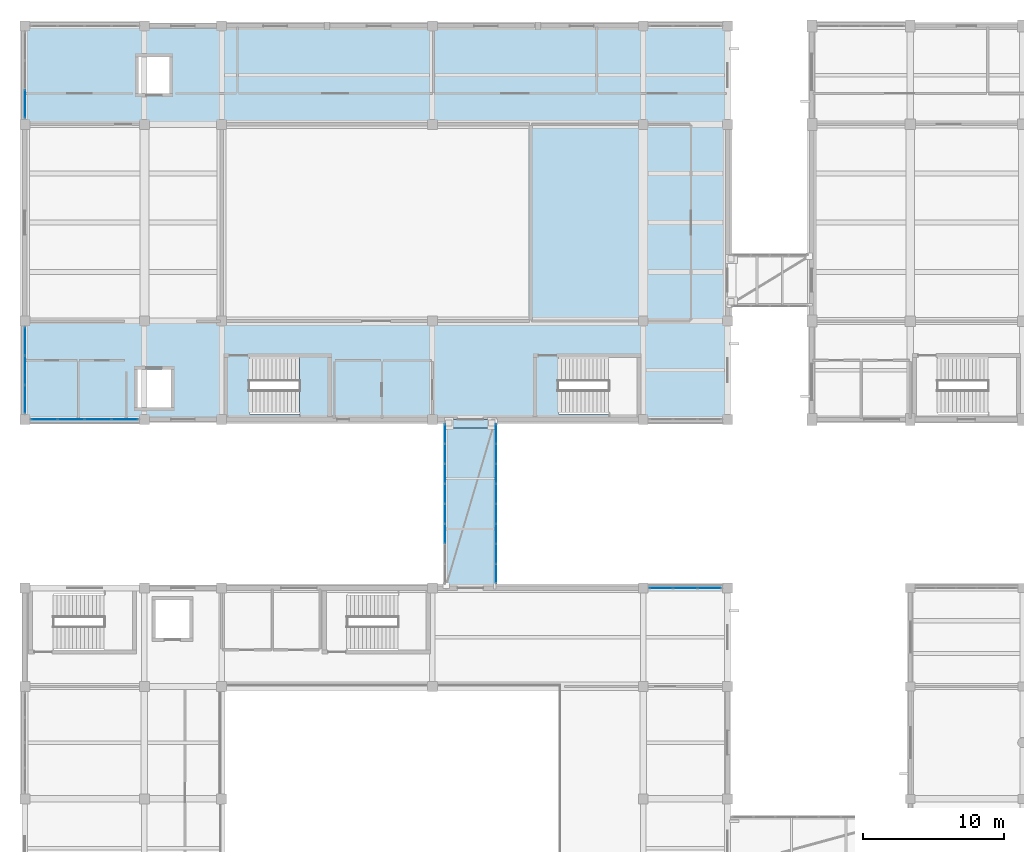
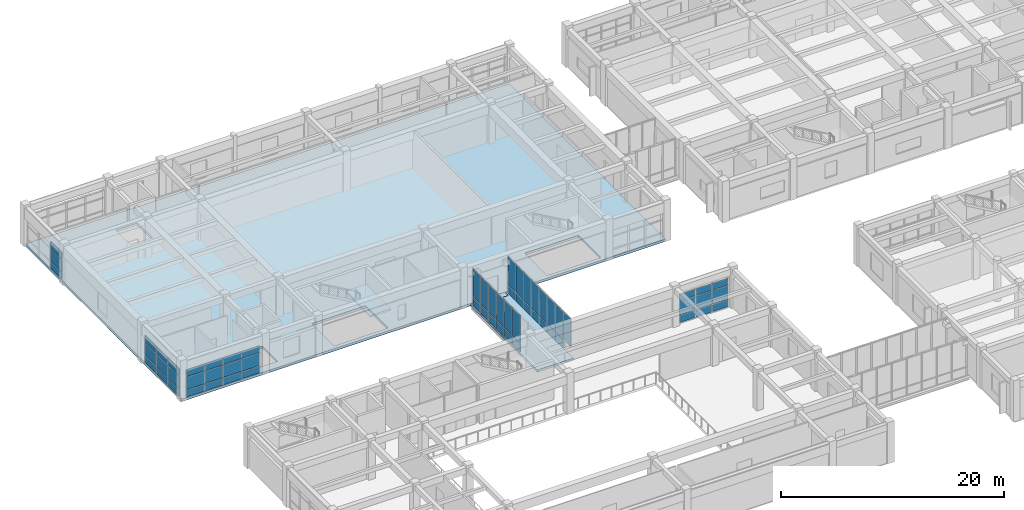
# One storey, part 37 of 70: 61 plates, 3 slabs, 7 elements without a shape of their own.
"""IFC4 building model written with IfcOpenShell, lengths in metres."""

from ifc_helpers import new_model, si_unit, direction, frame, origin, origin_2d, place, context, subcontext, project, spatial, polyline, rectangle, outline, extrude, material, layer, layer_set, type_object, element, aggregate, save


model = new_model("IFC4")

# Units and contexts
model_context = context("Model", 3, precision=1e-05, world=origin(), true_north=direction((0.0, 1.0)))
body_context = subcontext(model_context, "Body", "Model", "MODEL_VIEW")
ifc_project = project(units=[si_unit("LENGTHUNIT", "METRE"), si_unit("AREAUNIT", "SQUARE_METRE"), si_unit("VOLUMEUNIT", "CUBIC_METRE"), si_unit("PLANEANGLEUNIT", "RADIAN"), si_unit("MASSUNIT", "GRAM", prefix="KILO")], contexts=[model_context])

# Site, building, storey
site_placement = place(None, origin())
site = spatial("IfcSite", under=ifc_project, at=site_placement, CompositionType="ELEMENT")
building_placement = place(site_placement, origin())
building = spatial("IfcBuilding", under=site, at=building_placement, Name="Naurynzar Civic Courthouse", CompositionType="ELEMENT")
storey_placement = place(building_placement, frame((0.0, 0.0, 5.39990234375)))
storey = spatial("IfcBuildingStorey", under=building, at=storey_placement, Name="L02", CompositionType="ELEMENT", Elevation=5.39990234375)

# Curtain wall, plates
ifc_material_1 = material(Name="Aluminium 6063-T6", Category="aluminium")
ifc_layer_1 = layer(ifc_material_1, 0.14990234375)
ifc_layer_set_1 = layer_set([ifc_layer_1], Name="CW-BRIDGE-1500")
curtain_wall_type_1 = type_object("IfcCurtainWallType", Name="CW-BRIDGE-1500", PredefinedType="USERDEFINED", material=ifc_layer_set_1)
curtain_wall_1_placement = place(storey_placement, origin())
curtain_wall_1 = element("IfcCurtainWall", 1, at=curtain_wall_1_placement, inside=storey, type_object=curtain_wall_type_1, Name="BR-W1 glazed bridge screen L02.1", ObjectType="GLAZED BRIDGE SCREEN", PredefinedType="USERDEFINED")
ifc_material_2 = material(Name="Tempered Laminated Low-E Glass", Category="glass")
ifc_layer_2 = layer(ifc_material_2, 0.031982421875)
ifc_layer_set_2 = layer_set([ifc_layer_2], Name="CWP-IGU-32")
plate_type_1 = type_object("IfcPlateType", Name="CWP-IGU-32", PredefinedType="CURTAIN_PANEL", material=ifc_layer_set_2)
plate_1_placement = place(storey_placement, frame((35.8798828125, 42.972412109375, 0.06005859375), z_axis=(0.0, 0.0, 1.0), x_axis=(0.0, -1.0, 0.0)))
plate_1 = element("IfcPlate", 2, at=plate_1_placement, type_object=plate_type_1, Name="CW-03 panel 1.1", PredefinedType="CURTAIN_PANEL", context=body_context, shape_type="SweptSolid", body=[
    extrude(rectangle(XDim=1.3349609375, YDim=0.031982421875, at=origin_2d()), origin(), (0.0, 0.0, 1.0), 0.909912109375),
])
plate_2_placement = place(storey_placement, frame((35.8798828125, 42.972412109375, 1.0302734375), z_axis=(0.0, 0.0, 1.0), x_axis=(0.0, -1.0, 0.0)))
plate_2 = element("IfcPlate", 3, at=plate_2_placement, type_object=plate_type_1, Name="CW-03 panel 1.2", PredefinedType="CURTAIN_PANEL", context=body_context, shape_type="SweptSolid", body=[
    extrude(rectangle(XDim=1.3349609375, YDim=0.031982421875, at=origin_2d()), origin(), (0.0, 0.0, 1.0), 3.030029296875),
])
plate_3_placement = place(storey_placement, frame((35.8798828125, 41.5625, 0.06005859375), z_axis=(0.0, 0.0, 1.0), x_axis=(0.0, -1.0, 0.0)))
plate_3 = element("IfcPlate", 4, at=plate_3_placement, type_object=plate_type_1, Name="CW-03 panel 2.1", PredefinedType="CURTAIN_PANEL", context=body_context, shape_type="SweptSolid", body=[
    extrude(rectangle(XDim=1.364990234375, YDim=0.031982421875, at=origin_2d()), origin(), (0.0, 0.0, 1.0), 0.909912109375),
])
plate_4_placement = place(storey_placement, frame((35.8798828125, 41.5625, 1.0302734375), z_axis=(0.0, 0.0, 1.0), x_axis=(0.0, -1.0, 0.0)))
plate_4 = element("IfcPlate", 5, at=plate_4_placement, type_object=plate_type_1, Name="CW-03 panel 2.2", PredefinedType="CURTAIN_PANEL", context=body_context, shape_type="SweptSolid", body=[
    extrude(rectangle(XDim=1.364990234375, YDim=0.031982421875, at=origin_2d()), origin(), (0.0, 0.0, 1.0), 3.030029296875),
])
plate_5_placement = place(storey_placement, frame((35.8798828125, 40.137451171875, 0.06005859375), z_axis=(0.0, 0.0, 1.0), x_axis=(0.0, -1.0, 0.0)))
plate_5 = element("IfcPlate", 6, at=plate_5_placement, type_object=plate_type_1, Name="CW-03 panel 3.1", PredefinedType="CURTAIN_PANEL", context=body_context, shape_type="SweptSolid", body=[
    extrude(rectangle(XDim=1.364990234375, YDim=0.031982421875, at=origin_2d()), origin(), (0.0, 0.0, 1.0), 0.909912109375),
])
plate_6_placement = place(storey_placement, frame((35.8798828125, 40.137451171875, 1.0302734375), z_axis=(0.0, 0.0, 1.0), x_axis=(0.0, -1.0, 0.0)))
plate_6 = element("IfcPlate", 7, at=plate_6_placement, type_object=plate_type_1, Name="CW-03 panel 3.2", PredefinedType="CURTAIN_PANEL", context=body_context, shape_type="SweptSolid", body=[
    extrude(rectangle(XDim=1.364990234375, YDim=0.031982421875, at=origin_2d()), origin(), (0.0, 0.0, 1.0), 3.030029296875),
])
plate_7_placement = place(storey_placement, frame((35.8798828125, 38.71240234375, 0.06005859375), z_axis=(0.0, 0.0, 1.0), x_axis=(0.0, -1.0, 0.0)))
plate_7 = element("IfcPlate", 8, at=plate_7_placement, type_object=plate_type_1, Name="CW-03 panel 4.1", PredefinedType="CURTAIN_PANEL", context=body_context, shape_type="SweptSolid", body=[
    extrude(rectangle(XDim=1.364990234375, YDim=0.031982421875, at=origin_2d()), origin(), (0.0, 0.0, 1.0), 0.909912109375),
])
plate_8_placement = place(storey_placement, frame((35.8798828125, 38.71240234375, 1.0302734375), z_axis=(0.0, 0.0, 1.0), x_axis=(0.0, -1.0, 0.0)))
plate_8 = element("IfcPlate", 9, at=plate_8_placement, type_object=plate_type_1, Name="CW-03 panel 4.2", PredefinedType="CURTAIN_PANEL", context=body_context, shape_type="SweptSolid", body=[
    extrude(rectangle(XDim=1.364990234375, YDim=0.031982421875, at=origin_2d()), origin(), (0.0, 0.0, 1.0), 3.030029296875),
])
plate_9_placement = place(storey_placement, frame((35.8798828125, 37.28759765625, 0.06005859375), z_axis=(0.0, 0.0, 1.0), x_axis=(0.0, -1.0, 0.0)))
plate_9 = element("IfcPlate", 10, at=plate_9_placement, type_object=plate_type_1, Name="CW-03 panel 5.1", PredefinedType="CURTAIN_PANEL", context=body_context, shape_type="SweptSolid", body=[
    extrude(rectangle(XDim=1.364990234375, YDim=0.031982421875, at=origin_2d()), origin(), (0.0, 0.0, 1.0), 0.909912109375),
])
plate_10_placement = place(storey_placement, frame((35.8798828125, 37.28759765625, 1.0302734375), z_axis=(0.0, 0.0, 1.0), x_axis=(0.0, -1.0, 0.0)))
plate_10 = element("IfcPlate", 11, at=plate_10_placement, type_object=plate_type_1, Name="CW-03 panel 5.2", PredefinedType="CURTAIN_PANEL", context=body_context, shape_type="SweptSolid", body=[
    extrude(rectangle(XDim=1.364990234375, YDim=0.031982421875, at=origin_2d()), origin(), (0.0, 0.0, 1.0), 3.030029296875),
])
plate_11_placement = place(storey_placement, frame((35.8798828125, 35.862548828125, 0.06005859375), z_axis=(0.0, 0.0, 1.0), x_axis=(0.0, -1.0, 0.0)))
plate_11 = element("IfcPlate", 12, at=plate_11_placement, type_object=plate_type_1, Name="CW-03 panel 6.1", PredefinedType="CURTAIN_PANEL", context=body_context, shape_type="SweptSolid", body=[
    extrude(rectangle(XDim=1.364990234375, YDim=0.031982421875, at=origin_2d()), origin(), (0.0, 0.0, 1.0), 0.909912109375),
])
plate_12_placement = place(storey_placement, frame((35.8798828125, 35.862548828125, 1.0302734375), z_axis=(0.0, 0.0, 1.0), x_axis=(0.0, -1.0, 0.0)))
plate_12 = element("IfcPlate", 13, at=plate_12_placement, type_object=plate_type_1, Name="CW-03 panel 6.2", PredefinedType="CURTAIN_PANEL", context=body_context, shape_type="SweptSolid", body=[
    extrude(rectangle(XDim=1.364990234375, YDim=0.031982421875, at=origin_2d()), origin(), (0.0, 0.0, 1.0), 3.030029296875),
])
aggregate(curtain_wall_1, [plate_1, plate_2, plate_3, plate_4, plate_5, plate_6, plate_7, plate_8, plate_9, plate_10, plate_11, plate_12])

curtain_wall_2_placement = place(storey_placement, origin())
curtain_wall_2 = element("IfcCurtainWall", 14, at=curtain_wall_2_placement, inside=storey, type_object=curtain_wall_type_1, Name="BR-W1 glazed bridge screen L02.2", ObjectType="GLAZED BRIDGE SCREEN", PredefinedType="USERDEFINED")
plate_13_placement = place(storey_placement, frame((39.52001953125, 33.027587890625, 1.0302734375), z_axis=(0.0, 0.0, 1.0), x_axis=(0.0, 1.0, 0.0)))
plate_13 = element("IfcPlate", 15, at=plate_13_placement, type_object=plate_type_1, Name="CW-03 panel 1.2", PredefinedType="CURTAIN_PANEL", context=body_context, shape_type="SweptSolid", body=[
    extrude(rectangle(XDim=1.3349609375, YDim=0.031982421875, at=origin_2d()), origin(), (0.0, 0.0, 1.0), 3.030029296875),
])
plate_14_placement = place(storey_placement, frame((39.52001953125, 34.4375, 0.06005859375), z_axis=(0.0, 0.0, 1.0), x_axis=(0.0, 1.0, 0.0)))
plate_14 = element("IfcPlate", 16, at=plate_14_placement, type_object=plate_type_1, Name="CW-03 panel 2.1", PredefinedType="CURTAIN_PANEL", context=body_context, shape_type="SweptSolid", body=[
    extrude(rectangle(XDim=1.364990234375, YDim=0.031982421875, at=origin_2d()), origin(), (0.0, 0.0, 1.0), 0.909912109375),
])
plate_15_placement = place(storey_placement, frame((39.52001953125, 34.4375, 1.0302734375), z_axis=(0.0, 0.0, 1.0), x_axis=(0.0, 1.0, 0.0)))
plate_15 = element("IfcPlate", 17, at=plate_15_placement, type_object=plate_type_1, Name="CW-03 panel 2.2", PredefinedType="CURTAIN_PANEL", context=body_context, shape_type="SweptSolid", body=[
    extrude(rectangle(XDim=1.364990234375, YDim=0.031982421875, at=origin_2d()), origin(), (0.0, 0.0, 1.0), 3.030029296875),
])
plate_16_placement = place(storey_placement, frame((39.52001953125, 35.862548828125, 0.06005859375), z_axis=(0.0, 0.0, 1.0), x_axis=(0.0, 1.0, 0.0)))
plate_16 = element("IfcPlate", 18, at=plate_16_placement, type_object=plate_type_1, Name="CW-03 panel 3.1", PredefinedType="CURTAIN_PANEL", context=body_context, shape_type="SweptSolid", body=[
    extrude(rectangle(XDim=1.364990234375, YDim=0.031982421875, at=origin_2d()), origin(), (0.0, 0.0, 1.0), 0.909912109375),
])
plate_17_placement = place(storey_placement, frame((39.52001953125, 35.862548828125, 1.0302734375), z_axis=(0.0, 0.0, 1.0), x_axis=(0.0, 1.0, 0.0)))
plate_17 = element("IfcPlate", 19, at=plate_17_placement, type_object=plate_type_1, Name="CW-03 panel 3.2", PredefinedType="CURTAIN_PANEL", context=body_context, shape_type="SweptSolid", body=[
    extrude(rectangle(XDim=1.364990234375, YDim=0.031982421875, at=origin_2d()), origin(), (0.0, 0.0, 1.0), 3.030029296875),
])
plate_18_placement = place(storey_placement, frame((39.52001953125, 37.28759765625, 0.06005859375), z_axis=(0.0, 0.0, 1.0), x_axis=(0.0, 1.0, 0.0)))
plate_18 = element("IfcPlate", 20, at=plate_18_placement, type_object=plate_type_1, Name="CW-03 panel 4.1", PredefinedType="CURTAIN_PANEL", context=body_context, shape_type="SweptSolid", body=[
    extrude(rectangle(XDim=1.364990234375, YDim=0.031982421875, at=origin_2d()), origin(), (0.0, 0.0, 1.0), 0.909912109375),
])
plate_19_placement = place(storey_placement, frame((39.52001953125, 37.28759765625, 1.0302734375), z_axis=(0.0, 0.0, 1.0), x_axis=(0.0, 1.0, 0.0)))
plate_19 = element("IfcPlate", 21, at=plate_19_placement, type_object=plate_type_1, Name="CW-03 panel 4.2", PredefinedType="CURTAIN_PANEL", context=body_context, shape_type="SweptSolid", body=[
    extrude(rectangle(XDim=1.364990234375, YDim=0.031982421875, at=origin_2d()), origin(), (0.0, 0.0, 1.0), 3.030029296875),
])
plate_20_placement = place(storey_placement, frame((39.52001953125, 38.71240234375, 0.06005859375), z_axis=(0.0, 0.0, 1.0), x_axis=(0.0, 1.0, 0.0)))
plate_20 = element("IfcPlate", 22, at=plate_20_placement, type_object=plate_type_1, Name="CW-03 panel 5.1", PredefinedType="CURTAIN_PANEL", context=body_context, shape_type="SweptSolid", body=[
    extrude(rectangle(XDim=1.364990234375, YDim=0.031982421875, at=origin_2d()), origin(), (0.0, 0.0, 1.0), 0.909912109375),
])
plate_21_placement = place(storey_placement, frame((39.52001953125, 38.71240234375, 1.0302734375), z_axis=(0.0, 0.0, 1.0), x_axis=(0.0, 1.0, 0.0)))
plate_21 = element("IfcPlate", 23, at=plate_21_placement, type_object=plate_type_1, Name="CW-03 panel 5.2", PredefinedType="CURTAIN_PANEL", context=body_context, shape_type="SweptSolid", body=[
    extrude(rectangle(XDim=1.364990234375, YDim=0.031982421875, at=origin_2d()), origin(), (0.0, 0.0, 1.0), 3.030029296875),
])
plate_22_placement = place(storey_placement, frame((39.52001953125, 40.137451171875, 0.06005859375), z_axis=(0.0, 0.0, 1.0), x_axis=(0.0, 1.0, 0.0)))
plate_22 = element("IfcPlate", 24, at=plate_22_placement, type_object=plate_type_1, Name="CW-03 panel 6.1", PredefinedType="CURTAIN_PANEL", context=body_context, shape_type="SweptSolid", body=[
    extrude(rectangle(XDim=1.364990234375, YDim=0.031982421875, at=origin_2d()), origin(), (0.0, 0.0, 1.0), 0.909912109375),
])
plate_23_placement = place(storey_placement, frame((39.52001953125, 40.137451171875, 1.0302734375), z_axis=(0.0, 0.0, 1.0), x_axis=(0.0, 1.0, 0.0)))
plate_23 = element("IfcPlate", 25, at=plate_23_placement, type_object=plate_type_1, Name="CW-03 panel 6.2", PredefinedType="CURTAIN_PANEL", context=body_context, shape_type="SweptSolid", body=[
    extrude(rectangle(XDim=1.364990234375, YDim=0.031982421875, at=origin_2d()), origin(), (0.0, 0.0, 1.0), 3.030029296875),
])
plate_24_placement = place(storey_placement, frame((39.52001953125, 41.5625, 0.06005859375), z_axis=(0.0, 0.0, 1.0), x_axis=(0.0, 1.0, 0.0)))
plate_24 = element("IfcPlate", 26, at=plate_24_placement, type_object=plate_type_1, Name="CW-03 panel 7.1", PredefinedType="CURTAIN_PANEL", context=body_context, shape_type="SweptSolid", body=[
    extrude(rectangle(XDim=1.364990234375, YDim=0.031982421875, at=origin_2d()), origin(), (0.0, 0.0, 1.0), 0.909912109375),
])
plate_25_placement = place(storey_placement, frame((39.52001953125, 41.5625, 1.0302734375), z_axis=(0.0, 0.0, 1.0), x_axis=(0.0, 1.0, 0.0)))
plate_25 = element("IfcPlate", 27, at=plate_25_placement, type_object=plate_type_1, Name="CW-03 panel 7.2", PredefinedType="CURTAIN_PANEL", context=body_context, shape_type="SweptSolid", body=[
    extrude(rectangle(XDim=1.364990234375, YDim=0.031982421875, at=origin_2d()), origin(), (0.0, 0.0, 1.0), 3.030029296875),
])
plate_26_placement = place(storey_placement, frame((39.52001953125, 42.972412109375, 0.06005859375), z_axis=(0.0, 0.0, 1.0), x_axis=(0.0, 1.0, 0.0)))
plate_26 = element("IfcPlate", 28, at=plate_26_placement, type_object=plate_type_1, Name="CW-03 panel 8.1", PredefinedType="CURTAIN_PANEL", context=body_context, shape_type="SweptSolid", body=[
    extrude(rectangle(XDim=1.3349609375, YDim=0.031982421875, at=origin_2d()), origin(), (0.0, 0.0, 1.0), 0.909912109375),
])
plate_27_placement = place(storey_placement, frame((39.52001953125, 42.972412109375, 1.0302734375), z_axis=(0.0, 0.0, 1.0), x_axis=(0.0, 1.0, 0.0)))
plate_27 = element("IfcPlate", 29, at=plate_27_placement, type_object=plate_type_1, Name="CW-03 panel 8.2", PredefinedType="CURTAIN_PANEL", context=body_context, shape_type="SweptSolid", body=[
    extrude(rectangle(XDim=1.3349609375, YDim=0.031982421875, at=origin_2d()), origin(), (0.0, 0.0, 1.0), 3.030029296875),
])
aggregate(curtain_wall_2, [plate_13, plate_14, plate_15, plate_16, plate_17, plate_18, plate_19, plate_20, plate_21, plate_22, plate_23, plate_24, plate_25, plate_26, plate_27])

ifc_material_3 = material(Name="Aluminium 6063-T6", Category="aluminium")
ifc_layer_3 = layer(ifc_material_3, 0.159912109375)
ifc_layer_set_3 = layer_set([ifc_layer_3], Name="CW-UNIT-1800")
curtain_wall_type_2 = type_object("IfcCurtainWallType", Name="CW-UNIT-1800", PredefinedType="NOTDEFINED", material=ifc_layer_set_3)
curtain_wall_3_placement = place(storey_placement, origin())
curtain_wall_3 = element("IfcCurtainWall", 30, at=curtain_wall_3_placement, inside=storey, type_object=curtain_wall_type_2, Name="V1 unitised curtain wall 1 L02", PredefinedType="NOTDEFINED")
ifc_material_4 = material(Name="Tempered Laminated Low-E Glass", Category="glass")
ifc_layer_4 = layer(ifc_material_4, 0.035888671875)
ifc_layer_set_4 = layer_set([ifc_layer_4], Name="CWP-IGU-36")
plate_type_2 = type_object("IfcPlateType", Name="CWP-IGU-36", PredefinedType="CURTAIN_PANEL", material=ifc_layer_set_4)
plate_28_placement = place(storey_placement, frame((6.0, 45.450927734375, 0.070068359375), z_axis=(0.0, 0.0, 1.0), x_axis=(0.0, 1.0, 0.0)))
plate_28 = element("IfcPlate", 31, at=plate_28_placement, type_object=plate_type_2, Name="CW-02 panel 1.1", PredefinedType="CURTAIN_PANEL", context=body_context, shape_type="SweptSolid", body=[
    extrude(rectangle(XDim=1.961669921875, YDim=0.035888671875, at=origin_2d()), origin(), (0.0, 0.0, 1.0), 0.7451171875),
])
plate_29_placement = place(storey_placement, frame((6.0, 45.450927734375, 0.88525390625), z_axis=(0.0, 0.0, 1.0), x_axis=(0.0, 1.0, 0.0)))
plate_29 = element("IfcPlate", 32, at=plate_29_placement, type_object=plate_type_2, Name="CW-02 panel 1.2", PredefinedType="CURTAIN_PANEL", context=body_context, shape_type="SweptSolid", body=[
    extrude(rectangle(XDim=1.961669921875, YDim=0.035888671875, at=origin_2d()), origin(), (0.0, 0.0, 1.0), 1.340087890625),
])
plate_30_placement = place(storey_placement, frame((6.0, 45.450927734375, 2.294921875), z_axis=(0.0, 0.0, 1.0), x_axis=(0.0, 1.0, 0.0)))
plate_30 = element("IfcPlate", 33, at=plate_30_placement, type_object=plate_type_2, Name="CW-02 panel 1.3", PredefinedType="CURTAIN_PANEL", context=body_context, shape_type="SweptSolid", body=[
    extrude(rectangle(XDim=1.961669921875, YDim=0.035888671875, at=origin_2d()), origin(), (0.0, 0.0, 1.0), 0.7451171875),
])
plate_31_placement = place(storey_placement, frame((6.0, 47.5, 0.070068359375), z_axis=(0.0, 0.0, 1.0), x_axis=(0.0, 1.0, 0.0)))
plate_31 = element("IfcPlate", 34, at=plate_31_placement, type_object=plate_type_2, Name="CW-02 panel 2.1", PredefinedType="CURTAIN_PANEL", context=body_context, shape_type="SweptSolid", body=[
    extrude(rectangle(XDim=1.99658203125, YDim=0.035888671875, at=origin_2d()), origin(), (0.0, 0.0, 1.0), 0.7451171875),
])
plate_32_placement = place(storey_placement, frame((6.0, 47.5, 0.88525390625), z_axis=(0.0, 0.0, 1.0), x_axis=(0.0, 1.0, 0.0)))
plate_32 = element("IfcPlate", 35, at=plate_32_placement, type_object=plate_type_2, Name="CW-02 panel 2.2", PredefinedType="CURTAIN_PANEL", context=body_context, shape_type="SweptSolid", body=[
    extrude(rectangle(XDim=1.99658203125, YDim=0.035888671875, at=origin_2d()), origin(), (0.0, 0.0, 1.0), 1.340087890625),
])
plate_33_placement = place(storey_placement, frame((6.0, 47.5, 2.294921875), z_axis=(0.0, 0.0, 1.0), x_axis=(0.0, 1.0, 0.0)))
plate_33 = element("IfcPlate", 36, at=plate_33_placement, type_object=plate_type_2, Name="CW-02 panel 2.3", PredefinedType="CURTAIN_PANEL", context=body_context, shape_type="SweptSolid", body=[
    extrude(rectangle(XDim=1.99658203125, YDim=0.035888671875, at=origin_2d()), origin(), (0.0, 0.0, 1.0), 0.7451171875),
])
plate_34_placement = place(storey_placement, frame((6.0, 49.549072265625, 0.070068359375), z_axis=(0.0, 0.0, 1.0), x_axis=(0.0, 1.0, 0.0)))
plate_34 = element("IfcPlate", 37, at=plate_34_placement, type_object=plate_type_2, Name="CW-02 panel 3.1", PredefinedType="CURTAIN_PANEL", context=body_context, shape_type="SweptSolid", body=[
    extrude(rectangle(XDim=1.961669921875, YDim=0.035888671875, at=origin_2d()), origin(), (0.0, 0.0, 1.0), 0.7451171875),
])
plate_35_placement = place(storey_placement, frame((6.0, 49.549072265625, 0.88525390625), z_axis=(0.0, 0.0, 1.0), x_axis=(0.0, 1.0, 0.0)))
plate_35 = element("IfcPlate", 38, at=plate_35_placement, type_object=plate_type_2, Name="CW-02 panel 3.2", PredefinedType="CURTAIN_PANEL", context=body_context, shape_type="SweptSolid", body=[
    extrude(rectangle(XDim=1.961669921875, YDim=0.035888671875, at=origin_2d()), origin(), (0.0, 0.0, 1.0), 1.340087890625),
])
plate_36_placement = place(storey_placement, frame((6.0, 49.549072265625, 2.294921875), z_axis=(0.0, 0.0, 1.0), x_axis=(0.0, 1.0, 0.0)))
plate_36 = element("IfcPlate", 39, at=plate_36_placement, type_object=plate_type_2, Name="CW-02 panel 3.3", PredefinedType="CURTAIN_PANEL", context=body_context, shape_type="SweptSolid", body=[
    extrude(rectangle(XDim=1.961669921875, YDim=0.035888671875, at=origin_2d()), origin(), (0.0, 0.0, 1.0), 0.7451171875),
])
aggregate(curtain_wall_3, [plate_28, plate_29, plate_30, plate_31, plate_32, plate_33, plate_34, plate_35, plate_36])

curtain_wall_4_placement = place(storey_placement, origin())
curtain_wall_4 = element("IfcCurtainWall", 40, at=curtain_wall_4_placement, inside=storey, type_object=curtain_wall_type_2, Name="V1 unitised curtain wall 2 L02", PredefinedType="NOTDEFINED")
plate_37_placement = place(storey_placement, frame((6.0, 66.450927734375, 0.070068359375), z_axis=(0.0, 0.0, 1.0), x_axis=(0.0, 1.0, 0.0)))
plate_37 = element("IfcPlate", 41, at=plate_37_placement, type_object=plate_type_2, Name="CW-02 panel 1.1", PredefinedType="CURTAIN_PANEL", context=body_context, shape_type="SweptSolid", body=[
    extrude(rectangle(XDim=1.961669921875, YDim=0.035888671875, at=origin_2d()), origin(), (0.0, 0.0, 1.0), 0.7451171875),
])
plate_38_placement = place(storey_placement, frame((6.0, 66.450927734375, 0.88525390625), z_axis=(0.0, 0.0, 1.0), x_axis=(0.0, 1.0, 0.0)))
plate_38 = element("IfcPlate", 42, at=plate_38_placement, type_object=plate_type_2, Name="CW-02 panel 1.2", PredefinedType="CURTAIN_PANEL", context=body_context, shape_type="SweptSolid", body=[
    extrude(rectangle(XDim=1.961669921875, YDim=0.035888671875, at=origin_2d()), origin(), (0.0, 0.0, 1.0), 1.340087890625),
])
plate_39_placement = place(storey_placement, frame((6.0, 66.450927734375, 2.294921875), z_axis=(0.0, 0.0, 1.0), x_axis=(0.0, 1.0, 0.0)))
plate_39 = element("IfcPlate", 43, at=plate_39_placement, type_object=plate_type_2, Name="CW-02 panel 1.3", PredefinedType="CURTAIN_PANEL", context=body_context, shape_type="SweptSolid", body=[
    extrude(rectangle(XDim=1.961669921875, YDim=0.035888671875, at=origin_2d()), origin(), (0.0, 0.0, 1.0), 0.7451171875),
])
aggregate(curtain_wall_4, [plate_37, plate_38, plate_39])

curtain_wall_5_placement = place(storey_placement, origin())
curtain_wall_5 = element("IfcCurtainWall", 44, at=curtain_wall_5_placement, inside=storey, type_object=curtain_wall_type_2, Name="V1 unitised curtain wall 6 L02", PredefinedType="NOTDEFINED")
plate_40_placement = place(storey_placement, frame((13.1201171875, 44.0, 0.070068359375), z_axis=(0.0, 0.0, 1.0), x_axis=(-1.0, 0.0, 0.0)))
plate_40 = element("IfcPlate", 45, at=plate_40_placement, type_object=plate_type_2, Name="CW-02 panel 1.1", PredefinedType="CURTAIN_PANEL", context=body_context, shape_type="SweptSolid", body=[
    extrude(rectangle(XDim=1.820068359375, YDim=0.035888671875, at=origin_2d()), origin(), (0.0, 0.0, 1.0), 0.7451171875),
])
plate_41_placement = place(storey_placement, frame((13.1201171875, 44.0, 0.88525390625), z_axis=(0.0, 0.0, 1.0), x_axis=(-1.0, 0.0, 0.0)))
plate_41 = element("IfcPlate", 46, at=plate_41_placement, type_object=plate_type_2, Name="CW-02 panel 1.2", PredefinedType="CURTAIN_PANEL", context=body_context, shape_type="SweptSolid", body=[
    extrude(rectangle(XDim=1.820068359375, YDim=0.035888671875, at=origin_2d()), origin(), (0.0, 0.0, 1.0), 1.340087890625),
])
plate_42_placement = place(storey_placement, frame((13.1201171875, 44.0, 2.294921875), z_axis=(0.0, 0.0, 1.0), x_axis=(-1.0, 0.0, 0.0)))
plate_42 = element("IfcPlate", 47, at=plate_42_placement, type_object=plate_type_2, Name="CW-02 panel 1.3", PredefinedType="CURTAIN_PANEL", context=body_context, shape_type="SweptSolid", body=[
    extrude(rectangle(XDim=1.820068359375, YDim=0.035888671875, at=origin_2d()), origin(), (0.0, 0.0, 1.0), 0.7451171875),
])
plate_43_placement = place(storey_placement, frame((11.21240234375, 44.0, 0.070068359375), z_axis=(0.0, 0.0, 1.0), x_axis=(-1.0, 0.0, 0.0)))
plate_43 = element("IfcPlate", 48, at=plate_43_placement, type_object=plate_type_2, Name="CW-02 panel 2.1", PredefinedType="CURTAIN_PANEL", context=body_context, shape_type="SweptSolid", body=[
    extrude(rectangle(XDim=1.85498046875, YDim=0.035888671875, at=origin_2d()), origin(), (0.0, 0.0, 1.0), 0.7451171875),
])
plate_44_placement = place(storey_placement, frame((11.21240234375, 44.0, 0.88525390625), z_axis=(0.0, 0.0, 1.0), x_axis=(-1.0, 0.0, 0.0)))
plate_44 = element("IfcPlate", 49, at=plate_44_placement, type_object=plate_type_2, Name="CW-02 panel 2.2", PredefinedType="CURTAIN_PANEL", context=body_context, shape_type="SweptSolid", body=[
    extrude(rectangle(XDim=1.85498046875, YDim=0.035888671875, at=origin_2d()), origin(), (0.0, 0.0, 1.0), 1.340087890625),
])
plate_45_placement = place(storey_placement, frame((11.21240234375, 44.0, 2.294921875), z_axis=(0.0, 0.0, 1.0), x_axis=(-1.0, 0.0, 0.0)))
plate_45 = element("IfcPlate", 50, at=plate_45_placement, type_object=plate_type_2, Name="CW-02 panel 2.3", PredefinedType="CURTAIN_PANEL", context=body_context, shape_type="SweptSolid", body=[
    extrude(rectangle(XDim=1.85498046875, YDim=0.035888671875, at=origin_2d()), origin(), (0.0, 0.0, 1.0), 0.7451171875),
])
plate_46_placement = place(storey_placement, frame((9.28759765625, 44.0, 0.070068359375), z_axis=(0.0, 0.0, 1.0), x_axis=(-1.0, 0.0, 0.0)))
plate_46 = element("IfcPlate", 51, at=plate_46_placement, type_object=plate_type_2, Name="CW-02 panel 3.1", PredefinedType="CURTAIN_PANEL", context=body_context, shape_type="SweptSolid", body=[
    extrude(rectangle(XDim=1.85498046875, YDim=0.035888671875, at=origin_2d()), origin(), (0.0, 0.0, 1.0), 0.7451171875),
])
plate_47_placement = place(storey_placement, frame((9.28759765625, 44.0, 0.88525390625), z_axis=(0.0, 0.0, 1.0), x_axis=(-1.0, 0.0, 0.0)))
plate_47 = element("IfcPlate", 52, at=plate_47_placement, type_object=plate_type_2, Name="CW-02 panel 3.2", PredefinedType="CURTAIN_PANEL", context=body_context, shape_type="SweptSolid", body=[
    extrude(rectangle(XDim=1.85498046875, YDim=0.035888671875, at=origin_2d()), origin(), (0.0, 0.0, 1.0), 1.340087890625),
])
plate_48_placement = place(storey_placement, frame((9.28759765625, 44.0, 2.294921875), z_axis=(0.0, 0.0, 1.0), x_axis=(-1.0, 0.0, 0.0)))
plate_48 = element("IfcPlate", 53, at=plate_48_placement, type_object=plate_type_2, Name="CW-02 panel 3.3", PredefinedType="CURTAIN_PANEL", context=body_context, shape_type="SweptSolid", body=[
    extrude(rectangle(XDim=1.85498046875, YDim=0.035888671875, at=origin_2d()), origin(), (0.0, 0.0, 1.0), 0.7451171875),
])
plate_49_placement = place(storey_placement, frame((7.3798828125, 44.0, 0.070068359375), z_axis=(0.0, 0.0, 1.0), x_axis=(-1.0, 0.0, 0.0)))
plate_49 = element("IfcPlate", 54, at=plate_49_placement, type_object=plate_type_2, Name="CW-02 panel 4.1", PredefinedType="CURTAIN_PANEL", context=body_context, shape_type="SweptSolid", body=[
    extrude(rectangle(XDim=1.820068359375, YDim=0.035888671875, at=origin_2d()), origin(), (0.0, 0.0, 1.0), 0.7451171875),
])
plate_50_placement = place(storey_placement, frame((7.3798828125, 44.0, 0.88525390625), z_axis=(0.0, 0.0, 1.0), x_axis=(-1.0, 0.0, 0.0)))
plate_50 = element("IfcPlate", 55, at=plate_50_placement, type_object=plate_type_2, Name="CW-02 panel 4.2", PredefinedType="CURTAIN_PANEL", context=body_context, shape_type="SweptSolid", body=[
    extrude(rectangle(XDim=1.820068359375, YDim=0.035888671875, at=origin_2d()), origin(), (0.0, 0.0, 1.0), 1.340087890625),
])
plate_51_placement = place(storey_placement, frame((7.3798828125, 44.0, 2.294921875), z_axis=(0.0, 0.0, 1.0), x_axis=(-1.0, 0.0, 0.0)))
plate_51 = element("IfcPlate", 56, at=plate_51_placement, type_object=plate_type_2, Name="CW-02 panel 4.3", PredefinedType="CURTAIN_PANEL", context=body_context, shape_type="SweptSolid", body=[
    extrude(rectangle(XDim=1.820068359375, YDim=0.035888671875, at=origin_2d()), origin(), (0.0, 0.0, 1.0), 0.7451171875),
])
aggregate(curtain_wall_5, [plate_40, plate_41, plate_42, plate_43, plate_44, plate_45, plate_46, plate_47, plate_48, plate_49, plate_50, plate_51])

curtain_wall_6_placement = place(storey_placement, origin())
curtain_wall_6 = element("IfcCurtainWall", 57, at=curtain_wall_6_placement, inside=storey, type_object=curtain_wall_type_2, Name="V4 unitised curtain wall 76 L02", PredefinedType="NOTDEFINED")
plate_52_placement = place(storey_placement, frame((51.2841796875, 32.0, 0.070068359375), z_axis=(0.0, 0.0, 1.0), x_axis=(1.0, 0.0, 0.0)))
plate_52 = element("IfcPlate", 58, at=plate_52_placement, type_object=plate_type_2, Name="CW-02 panel 1.1", PredefinedType="CURTAIN_PANEL", context=body_context, shape_type="SweptSolid", body=[
    extrude(rectangle(XDim=1.62841796875, YDim=0.035888671875, at=origin_2d()), origin(), (0.0, 0.0, 1.0), 0.7451171875),
])
plate_53_placement = place(storey_placement, frame((51.2841796875, 32.0, 0.88525390625), z_axis=(0.0, 0.0, 1.0), x_axis=(1.0, 0.0, 0.0)))
plate_53 = element("IfcPlate", 59, at=plate_53_placement, type_object=plate_type_2, Name="CW-02 panel 1.2", PredefinedType="CURTAIN_PANEL", context=body_context, shape_type="SweptSolid", body=[
    extrude(rectangle(XDim=1.62841796875, YDim=0.035888671875, at=origin_2d()), origin(), (0.0, 0.0, 1.0), 1.489990234375),
])
plate_54_placement = place(storey_placement, frame((51.2841796875, 32.0, 2.445068359375), z_axis=(0.0, 0.0, 1.0), x_axis=(1.0, 0.0, 0.0)))
plate_54 = element("IfcPlate", 60, at=plate_54_placement, type_object=plate_type_2, Name="CW-02 panel 1.3", PredefinedType="CURTAIN_PANEL", context=body_context, shape_type="SweptSolid", body=[
    extrude(rectangle(XDim=1.62841796875, YDim=0.035888671875, at=origin_2d()), origin(), (0.0, 0.0, 1.0), 0.7451171875),
])
plate_55_placement = place(storey_placement, frame((53.0, 32.0, 0.070068359375), z_axis=(0.0, 0.0, 1.0), x_axis=(1.0, 0.0, 0.0)))
plate_55 = element("IfcPlate", 61, at=plate_55_placement, type_object=plate_type_2, Name="CW-02 panel 2.1", PredefinedType="CURTAIN_PANEL", context=body_context, shape_type="SweptSolid", body=[
    extrude(rectangle(XDim=1.663330078125, YDim=0.035888671875, at=origin_2d()), origin(), (0.0, 0.0, 1.0), 0.7451171875),
])
plate_56_placement = place(storey_placement, frame((53.0, 32.0, 0.88525390625), z_axis=(0.0, 0.0, 1.0), x_axis=(1.0, 0.0, 0.0)))
plate_56 = element("IfcPlate", 62, at=plate_56_placement, type_object=plate_type_2, Name="CW-02 panel 2.2", PredefinedType="CURTAIN_PANEL", context=body_context, shape_type="SweptSolid", body=[
    extrude(rectangle(XDim=1.663330078125, YDim=0.035888671875, at=origin_2d()), origin(), (0.0, 0.0, 1.0), 1.489990234375),
])
plate_57_placement = place(storey_placement, frame((53.0, 32.0, 2.445068359375), z_axis=(0.0, 0.0, 1.0), x_axis=(1.0, 0.0, 0.0)))
plate_57 = element("IfcPlate", 63, at=plate_57_placement, type_object=plate_type_2, Name="CW-02 panel 2.3", PredefinedType="CURTAIN_PANEL", context=body_context, shape_type="SweptSolid", body=[
    extrude(rectangle(XDim=1.663330078125, YDim=0.035888671875, at=origin_2d()), origin(), (0.0, 0.0, 1.0), 0.7451171875),
])
plate_58_placement = place(storey_placement, frame((54.7158203125, 32.0, 0.070068359375), z_axis=(0.0, 0.0, 1.0), x_axis=(1.0, 0.0, 0.0)))
plate_58 = element("IfcPlate", 64, at=plate_58_placement, type_object=plate_type_2, Name="CW-02 panel 3.1", PredefinedType="CURTAIN_PANEL", context=body_context, shape_type="SweptSolid", body=[
    extrude(rectangle(XDim=1.62841796875, YDim=0.035888671875, at=origin_2d()), origin(), (0.0, 0.0, 1.0), 0.7451171875),
])
plate_59_placement = place(storey_placement, frame((54.7158203125, 32.0, 0.88525390625), z_axis=(0.0, 0.0, 1.0), x_axis=(1.0, 0.0, 0.0)))
plate_59 = element("IfcPlate", 65, at=plate_59_placement, type_object=plate_type_2, Name="CW-02 panel 3.2", PredefinedType="CURTAIN_PANEL", context=body_context, shape_type="SweptSolid", body=[
    extrude(rectangle(XDim=1.62841796875, YDim=0.035888671875, at=origin_2d()), origin(), (0.0, 0.0, 1.0), 1.489990234375),
])
plate_60_placement = place(storey_placement, frame((54.7158203125, 32.0, 2.445068359375), z_axis=(0.0, 0.0, 1.0), x_axis=(1.0, 0.0, 0.0)))
plate_60 = element("IfcPlate", 66, at=plate_60_placement, type_object=plate_type_2, Name="CW-02 panel 3.3", PredefinedType="CURTAIN_PANEL", context=body_context, shape_type="SweptSolid", body=[
    extrude(rectangle(XDim=1.62841796875, YDim=0.035888671875, at=origin_2d()), origin(), (0.0, 0.0, 1.0), 0.7451171875),
])
aggregate(curtain_wall_6, [plate_52, plate_53, plate_54, plate_55, plate_56, plate_57, plate_58, plate_59, plate_60])

# Plate
ifc_material_5 = material(Name="Brushed Stainless Steel 304", Category="steel")
ifc_layer_5 = layer(ifc_material_5, 0.011962890625)
ifc_layer_set_5 = layer_set([ifc_layer_5], Name="PLT-SEISMIC-COVER-12")
plate_type_3 = type_object("IfcPlateType", Name="PLT-SEISMIC-COVER-12", PredefinedType="SHEET", material=ifc_layer_set_5)
plate_61_placement = place(storey_placement, frame((37.699951171875, 43.699951171875, 0.0), z_axis=(0.0, 0.0, 1.0), x_axis=(1.0, 0.0, 0.0)))
element("IfcPlate", 67, at=plate_61_placement, inside=storey, type_object=plate_type_3, Name="BR-W1 seismic floor joint cover plate L02", PredefinedType="SHEET", context=body_context, shape_type="SweptSolid", body=[
    extrude(rectangle(XDim=3.39990234375, YDim=0.60009765625, at=origin_2d()), origin(), (0.0, 0.0, 1.0), 0.011962890625),
])

# Slabs
ifc_material_6 = material(Name="Concrete C35/45", Category="concrete")
ifc_layer_6 = layer(ifc_material_6, 0.239990234375)
ifc_layer_set_6 = layer_set([ifc_layer_6], Name="SLB-BRG-240")
slab_type_1 = type_object("IfcSlabType", Name="SLB-BRG-240", PredefinedType="FLOOR", material=ifc_layer_set_6)
slab_1_placement = place(storey_placement, frame((0.0, 0.0, -0.239990234375)))
element("IfcSlab", 68, at=slab_1_placement, inside=storey, type_object=slab_type_1, Name="West Atrium Seismic Link Passage deck slab L02", PredefinedType="FLOOR", context=body_context, shape_type="SweptSolid", body=[
    extrude(outline(polyline([(35.820068359375, 32.02001953125), (39.580078125, 32.02001953125), (39.580078125, 43.97998046875), (35.820068359375, 43.97998046875), (35.820068359375, 32.02001953125)])), origin(), (0.0, 0.0, 1.0), 0.239990234375),
])
ifc_material_7 = material(Name="Concrete C35/45", Category="concrete")
ifc_layer_7 = layer(ifc_material_7, 0.260009765625)
ifc_layer_set_7 = layer_set([ifc_layer_7], Name="SLB-HALL-260")
slab_type_2 = type_object("IfcSlabType", Name="SLB-HALL-260", PredefinedType="FLOOR", material=ifc_layer_set_7)
slab_2_placement = place(storey_placement, frame((0.0, 0.0, -0.260009765625)))
element("IfcSlab", 69, at=slab_2_placement, inside=storey, type_object=slab_type_2, Name="V1 floor slab L02", PredefinedType="FLOOR", context=body_context, shape_type="SweptSolid", body=[
    extrude(outline(polyline([(56.0, 44.0), (56.0, 72.0), (6.0, 72.0), (6.0, 44.0), (56.0, 44.0)]), holes=[polyline([(21.97998046875, 44.39990234375), (27.550048828125, 44.39990234375), (27.550048828125, 48.39990234375), (21.97998046875, 48.39990234375), (21.97998046875, 44.39990234375)]), polyline([(43.97998046875, 44.39990234375), (49.550048828125, 44.39990234375), (49.550048828125, 48.39990234375), (43.97998046875, 48.39990234375), (43.97998046875, 44.39990234375)]), polyline([(14.0, 44.85009765625), (16.39990234375, 44.85009765625), (16.39990234375, 47.550048828125), (14.0, 47.550048828125), (14.0, 44.85009765625)]), polyline([(14.10009765625, 67.199951171875), (16.300048828125, 67.199951171875), (16.300048828125, 69.800048828125), (14.10009765625, 69.800048828125), (14.10009765625, 67.199951171875)])]), origin(), (0.0, 0.0, 1.0), 0.260009765625),
])

# Stair, slab
ifc_material_8 = material(Name="Concrete C35/45", Category="concrete")
stair_type = type_object("IfcStairType", Name="STAIR-CORE-1600", PredefinedType="TWO_STRAIGHT_RUN_STAIR", material=ifc_material_8)
stair_placement = place(storey_placement, origin())
stair = element("IfcStair", 70, at=stair_placement, inside=storey, type_object=stair_type, Name="Enclosed escape stair ST-V1A L02", PredefinedType="TWO_STRAIGHT_RUN_STAIR")
ifc_material_9 = material(Name="Concrete C35/45", Category="concrete")
ifc_layer_8 = layer(ifc_material_9, 0.199951171875)
ifc_layer_set_8 = layer_set([ifc_layer_8], Name="SLB-LAND-200")
slab_type_3 = type_object("IfcSlabType", Name="SLB-LAND-200", PredefinedType="LANDING", material=ifc_layer_set_8)
slab_3_placement = place(storey_placement, frame((0.0, 0.0, 2.050048828125)))
slab_3 = element("IfcSlab", 71, at=slab_3_placement, type_object=slab_type_3, Name="ST-V1A-L02 landing 1", PredefinedType="LANDING", context=body_context, shape_type="SweptSolid", body=[
    extrude(outline(polyline([(25.5400390625, 44.080078125), (27.669921875, 44.080078125), (27.669921875, 48.52001953125), (25.5400390625, 48.52001953125), (25.5400390625, 44.080078125)])), origin(), (0.0, 0.0, 1.0), 0.199951171875),
])
aggregate(stair, [slab_3])

save(model, "model.ifc")
